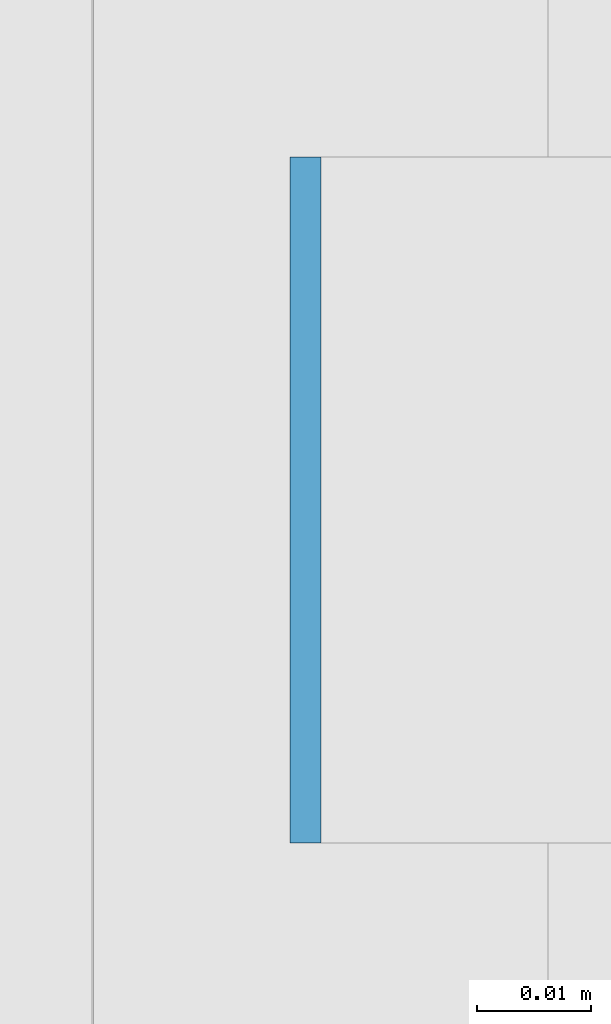
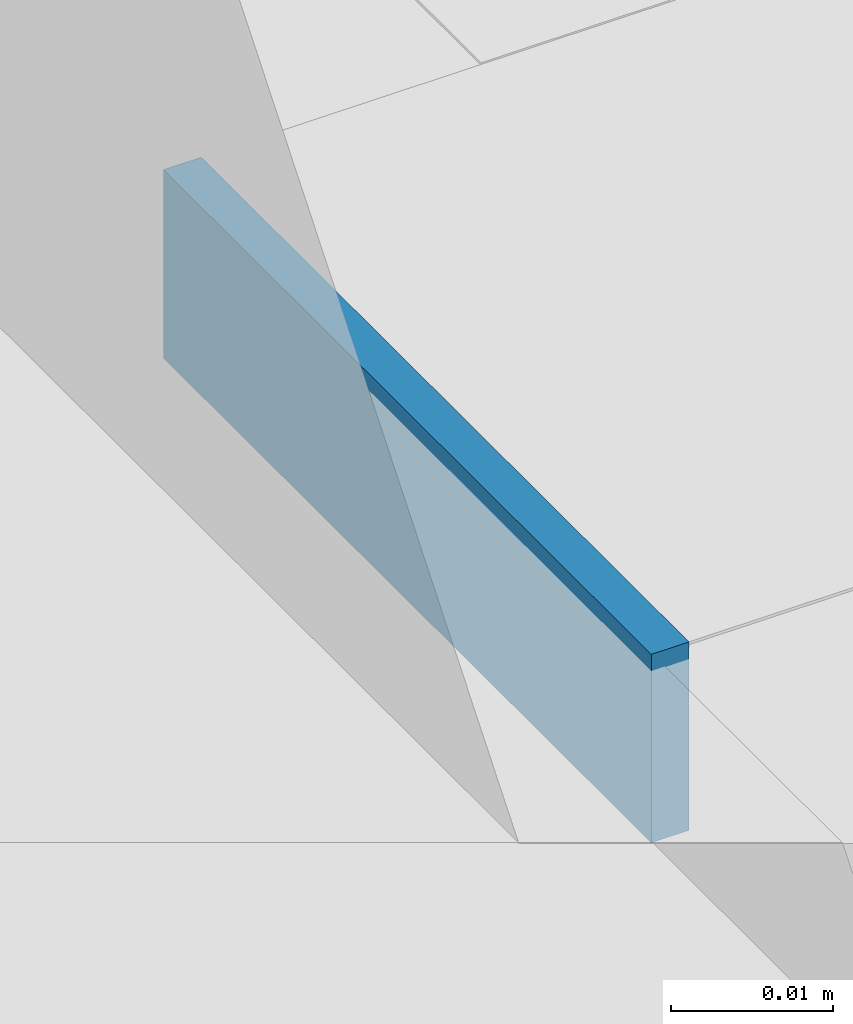
# One storey, part 519 of 646: 1 discrete accessory.
"""IFC4 building model written with IfcOpenShell, lengths in metres."""

from ifc_helpers import new_model, si_unit, direction, frame, origin, origin_2d, place, context, subcontext, project, spatial, rectangle, extrude, material, type_object, element, save


model = new_model("IFC4")

# Units and contexts
model_context = context("Model", 3, precision=1e-05, world=origin(), true_north=direction((0.0, 1.0)))
body_context = subcontext(model_context, "Body", "Model", "MODEL_VIEW")
ifc_project = project(units=[si_unit("LENGTHUNIT", "METRE"), si_unit("AREAUNIT", "SQUARE_METRE"), si_unit("VOLUMEUNIT", "CUBIC_METRE"), si_unit("PLANEANGLEUNIT", "RADIAN"), si_unit("MASSUNIT", "GRAM", prefix="KILO")], contexts=[model_context])

# Site, building, storey
site_placement = place(None, origin())
site = spatial("IfcSite", under=ifc_project, at=site_placement, CompositionType="ELEMENT")
building_placement = place(site_placement, origin())
building = spatial("IfcBuilding", under=site, at=building_placement, Name="Silverbay Arena", CompositionType="ELEMENT")
storey_placement = place(building_placement, frame((0.0, 0.0, 33.5)))
storey = spatial("IfcBuildingStorey", under=building, at=storey_placement, Name="L05", CompositionType="ELEMENT", Elevation=33.5)

# Discrete accessory
ifc_material = material(Name="Steel S355", Category="steel")
discrete_accessory_type = type_object("IfcDiscreteAccessoryType", Name="Steel bracket plate", PredefinedType="BRACKET", material=ifc_material)
discrete_accessory_placement = place(storey_placement, frame((207.128662109375, 78.428466796875, 12.98583984375), z_axis=(0.0, 0.0, 1.0), x_axis=(1.0, 0.0, 0.0)))
element("IfcDiscreteAccessory", 1, at=discrete_accessory_placement, inside=storey, type_object=discrete_accessory_type, Name="Curtain wall packing plate", PredefinedType="BRACKET", context=body_context, shape_type="SweptSolid", body=[
    extrude(rectangle(XDim=0.002685546875, YDim=0.06005859375, at=origin_2d()), origin(), (0.0, 0.0, 1.0), 0.01416015625),
])

save(model, "model.ifc")
